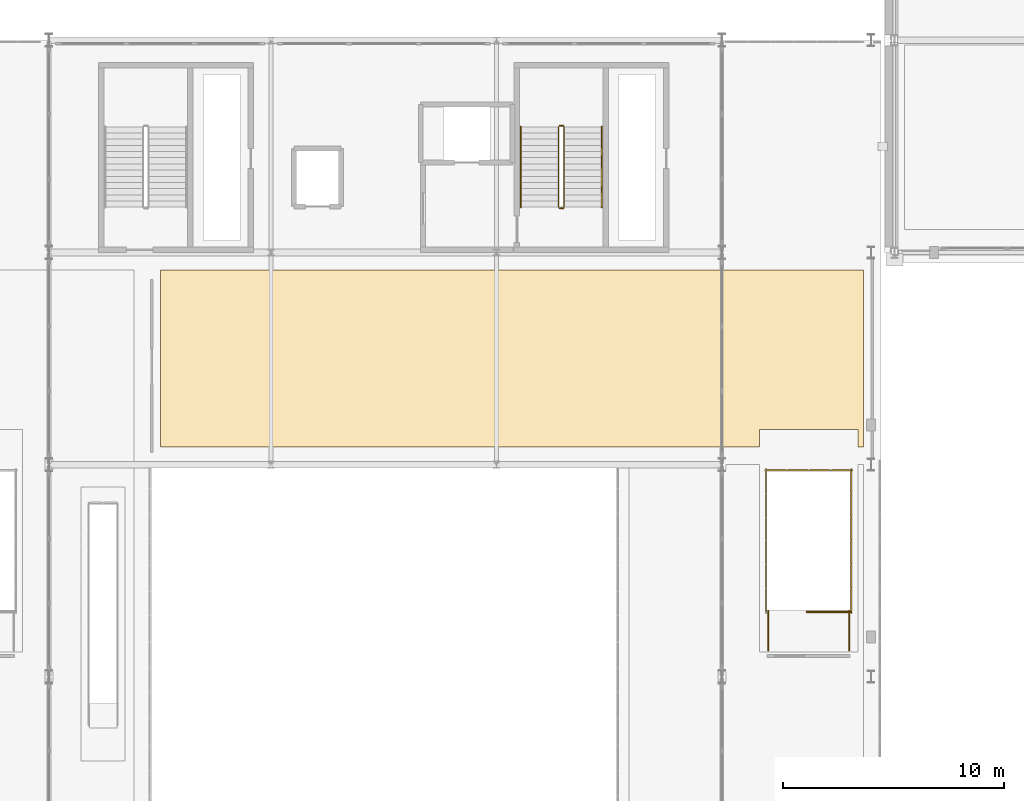
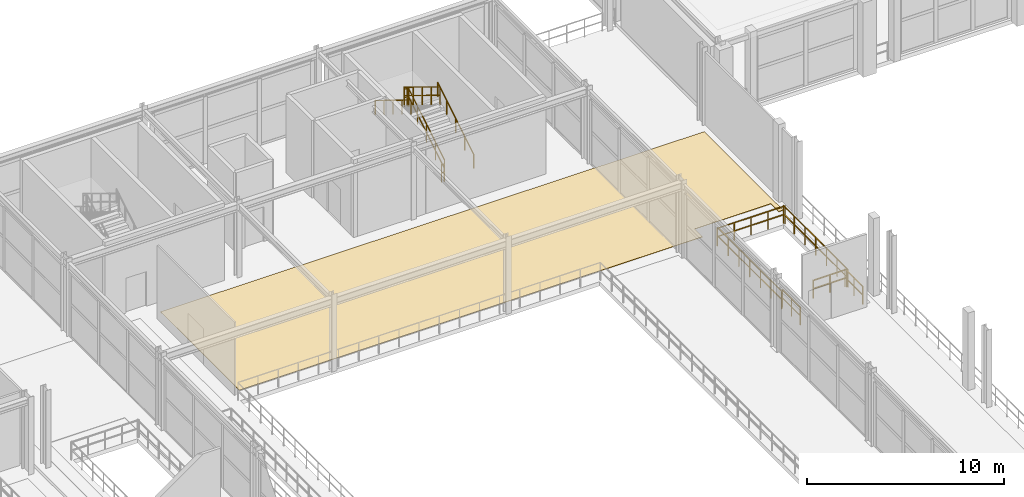
# One storey, part 107 of 125: 13 railings, 1 covering.
"""IFC4 building model written with IfcOpenShell, lengths in metres."""

from ifc_helpers import new_model, si_unit, direction, frame, origin, origin_2d, place, context, subcontext, project, spatial, polyline, rectangle, outline, extrude, material, layer, layer_set, type_object, element, save


model = new_model("IFC4")

# Units and contexts
model_context = context("Model", 3, precision=1e-05, world=origin(), true_north=direction((0.0, 1.0)))
body_context = subcontext(model_context, "Body", "Model", "MODEL_VIEW")
ifc_project = project(units=[si_unit("LENGTHUNIT", "METRE"), si_unit("AREAUNIT", "SQUARE_METRE"), si_unit("VOLUMEUNIT", "CUBIC_METRE"), si_unit("PLANEANGLEUNIT", "RADIAN"), si_unit("MASSUNIT", "GRAM", prefix="KILO")], contexts=[model_context])

# Site, building, storey
site_placement = place(None, origin())
site = spatial("IfcSite", under=ifc_project, at=site_placement, CompositionType="ELEMENT")
building_placement = place(site_placement, origin())
building = spatial("IfcBuilding", under=site, at=building_placement, Name="Myrtia Square Station", CompositionType="ELEMENT")
storey_placement = place(building_placement, frame((0.0, 0.0, 6.0)))
storey = spatial("IfcBuildingStorey", under=building, at=storey_placement, Name="L01", CompositionType="ELEMENT", Elevation=6.0)

# Covering
ifc_material_1 = material(Name="Terrazzo stone tile", Category="masonry")
ifc_layer = layer(ifc_material_1, 0.02490234375, Name="Terrazzo stone tile")
ifc_layer_set = layer_set([ifc_layer], Name="Terrazzo stone tile")
covering_type = type_object("IfcCoveringType", Name="COV-FLR-TERRAZZO", PredefinedType="FLOORING", material=ifc_layer_set)
covering_placement = place(storey_placement, origin())
element("IfcCovering", 1, at=covering_placement, inside=storey, type_object=covering_type, Name="Terrazzo room flooring L01-07", PredefinedType="FLOORING", context=body_context, shape_type="SweptSolid", body=[
    extrude(outline(polyline([(84.39990234375, 85.60009765625), (116.199951171875, 85.60009765625), (116.199951171875, 77.60009765625), (115.949951171875, 77.60009765625), (115.949951171875, 78.39990234375), (111.489990234375, 78.39990234375), (111.489990234375, 77.60009765625), (84.39990234375, 77.60009765625), (84.39990234375, 85.60009765625)])), origin(), (0.0, 0.0, 1.0), 0.02490234375),
])

# Railings
ifc_material_2 = material(Name="Dark bronze anodised aluminium", Category="aluminium")
railing_type_1 = type_object("IfcRailingType", Name="RL-HANDRAIL-900", PredefinedType="HANDRAIL", material=ifc_material_2)
railing_1_placement = place(storey_placement, frame((104.360107421875, 88.449951171875, 0.17138671875)))
element("IfcRailing", 2, at=railing_1_placement, inside=storey, type_object=railing_type_1, Name="L01 ST04 stair handrail 1", PredefinedType="HANDRAIL", context=body_context, shape_type="SweptSolid", body=[
    extrude(rectangle(XDim=0.048095703125, YDim=0.048095703125, at=origin_2d()), frame((0.0, 0.029541015625, 0.89404296875), z_axis=(0.0, 0.852865859571, 0.52213008492), x_axis=(-1.0, 0.0, 0.0)), (0.0, 0.0, 1.0), 0.997802734375),
    extrude(rectangle(XDim=0.048095703125, YDim=0.048095703125, at=origin_2d()), frame((0.0, 0.939697265625, 1.451171875), z_axis=(0.0, 0.852865859571, 0.52213008492), x_axis=(-1.0, 0.0, 0.0)), (0.0, 0.0, 1.0), 0.997802734375),
    extrude(rectangle(XDim=0.048095703125, YDim=0.048095703125, at=origin_2d()), frame((0.0, 1.849609375, 2.00830078125), z_axis=(0.0, 0.852865859571, 0.52213008492), x_axis=(-1.0, 0.0, 0.0)), (0.0, 0.0, 1.0), 0.997802734375),
    extrude(rectangle(XDim=0.048095703125, YDim=0.048095703125, at=origin_2d()), frame((0.0, 2.759765625, 2.5654296875), z_axis=(0.0, 0.852865859571, 0.52213008492), x_axis=(-1.0, 0.0, 0.0)), (0.0, 0.0, 1.0), 0.997802734375),
    extrude(rectangle(XDim=0.0439453125, YDim=0.0439453125, at=origin_2d()), origin(), (0.0, 0.0, 1.0), 0.89990234375),
    extrude(rectangle(XDim=0.0439453125, YDim=0.0439453125, at=origin_2d()), frame((0.0, 0.91015625, 0.55712890625)), (0.0, 0.0, 1.0), 0.89990234375),
    extrude(rectangle(XDim=0.0439453125, YDim=0.0439453125, at=origin_2d()), frame((0.0, 1.820068359375, 1.1142578125)), (0.0, 0.0, 1.0), 0.89990234375),
    extrude(rectangle(XDim=0.0439453125, YDim=0.0439453125, at=origin_2d()), frame((0.0, 2.72998046875, 1.67138671875)), (0.0, 0.0, 1.0), 0.89990234375),
    extrude(rectangle(XDim=0.0439453125, YDim=0.0439453125, at=origin_2d()), frame((0.0, 3.64013671875, 2.228515625)), (0.0, 0.0, 1.0), 0.89990234375),
])
railing_2_placement = place(storey_placement, frame((100.699951171875, 92.090087890625, 2.571533203125)))
element("IfcRailing", 3, at=railing_2_placement, inside=storey, type_object=railing_type_1, Name="L01 ST04 stair handrail 2", PredefinedType="HANDRAIL", context=body_context, shape_type="SweptSolid", body=[
    extrude(rectangle(XDim=0.048095703125, YDim=0.048095703125, at=origin_2d()), frame((0.0, -0.029541015625, 0.89404296875), z_axis=(0.0, -0.852865859571, 0.52213008492), x_axis=(1.0, 0.0, 0.0)), (0.0, 0.0, 1.0), 0.997802734375),
    extrude(rectangle(XDim=0.048095703125, YDim=0.048095703125, at=origin_2d()), frame((0.0, -0.939697265625, 1.451171875), z_axis=(0.0, -0.852865859571, 0.52213008492), x_axis=(1.0, 0.0, 0.0)), (0.0, 0.0, 1.0), 0.997802734375),
    extrude(rectangle(XDim=0.048095703125, YDim=0.048095703125, at=origin_2d()), frame((0.0, -1.849609375, 2.00830078125), z_axis=(0.0, -0.852865859571, 0.52213008492), x_axis=(1.0, 0.0, 0.0)), (0.0, 0.0, 1.0), 0.997802734375),
    extrude(rectangle(XDim=0.048095703125, YDim=0.048095703125, at=origin_2d()), frame((0.0, -2.759765625, 2.5654296875), z_axis=(0.0, -0.852865859571, 0.52213008492), x_axis=(1.0, 0.0, 0.0)), (0.0, 0.0, 1.0), 0.997802734375),
    extrude(rectangle(XDim=0.0439453125, YDim=0.0439453125, at=origin_2d()), origin(), (0.0, 0.0, 1.0), 0.89990234375),
    extrude(rectangle(XDim=0.0439453125, YDim=0.0439453125, at=origin_2d()), frame((0.0, -0.91015625, 0.55712890625)), (0.0, 0.0, 1.0), 0.89990234375),
    extrude(rectangle(XDim=0.0439453125, YDim=0.0439453125, at=origin_2d()), frame((0.0, -1.820068359375, 1.1142578125)), (0.0, 0.0, 1.0), 0.89990234375),
    extrude(rectangle(XDim=0.0439453125, YDim=0.0439453125, at=origin_2d()), frame((0.0, -2.72998046875, 1.67138671875)), (0.0, 0.0, 1.0), 0.89990234375),
    extrude(rectangle(XDim=0.0439453125, YDim=0.0439453125, at=origin_2d()), frame((0.0, -3.64013671875, 2.228515625)), (0.0, 0.0, 1.0), 0.89990234375),
])
ifc_material_3 = material(Name="Wrought iron", Category="steel")
railing_type_2 = type_object("IfcRailingType", Name="RL-INT-GUARD-1100", PredefinedType="BALUSTRADE", material=ifc_material_3)
railing_3_placement = place(storey_placement, frame((102.659912109375, 88.449951171875, 0.17138671875)))
element("IfcRailing", 4, at=railing_3_placement, inside=storey, type_object=railing_type_2, Name="L01 ST04 stair guard 1", PredefinedType="BALUSTRADE", context=body_context, shape_type="SweptSolid", body=[
    extrude(rectangle(XDim=0.048095703125, YDim=0.048095703125, at=origin_2d()), frame((0.0, 0.029541015625, 1.1142578125), z_axis=(0.0, 0.852865859571, 0.52213008492), x_axis=(-1.0, 0.0, 0.0)), (0.0, 0.0, 1.0), 0.997802734375),
    extrude(rectangle(XDim=0.048095703125, YDim=0.048095703125, at=origin_2d()), frame((0.0, 0.029541015625, 0.6005859375), z_axis=(0.0, 0.852865859571, 0.52213008492), x_axis=(-1.0, 0.0, 0.0)), (0.0, 0.0, 1.0), 0.997802734375),
    extrude(rectangle(XDim=0.048095703125, YDim=0.048095703125, at=origin_2d()), frame((0.0, 0.939697265625, 1.67138671875), z_axis=(0.0, 0.852865859571, 0.52213008492), x_axis=(-1.0, 0.0, 0.0)), (0.0, 0.0, 1.0), 0.997802734375),
    extrude(rectangle(XDim=0.048095703125, YDim=0.048095703125, at=origin_2d()), frame((0.0, 0.939697265625, 1.15771484375), z_axis=(0.0, 0.852865859571, 0.52213008492), x_axis=(-1.0, 0.0, 0.0)), (0.0, 0.0, 1.0), 0.997802734375),
    extrude(rectangle(XDim=0.048095703125, YDim=0.048095703125, at=origin_2d()), frame((0.0, 1.849609375, 2.228515625), z_axis=(0.0, 0.852865859571, 0.52213008492), x_axis=(-1.0, 0.0, 0.0)), (0.0, 0.0, 1.0), 0.997802734375),
    extrude(rectangle(XDim=0.048095703125, YDim=0.048095703125, at=origin_2d()), frame((0.0, 1.849609375, 1.71484375), z_axis=(0.0, 0.852865859571, 0.52213008492), x_axis=(-1.0, 0.0, 0.0)), (0.0, 0.0, 1.0), 0.997802734375),
    extrude(rectangle(XDim=0.048095703125, YDim=0.048095703125, at=origin_2d()), frame((0.0, 2.759765625, 2.78564453125), z_axis=(0.0, 0.852865859571, 0.52213008492), x_axis=(-1.0, 0.0, 0.0)), (0.0, 0.0, 1.0), 0.997802734375),
    extrude(rectangle(XDim=0.048095703125, YDim=0.048095703125, at=origin_2d()), frame((0.0, 2.759765625, 2.27197265625), z_axis=(0.0, 0.852865859571, 0.52213008492), x_axis=(-1.0, 0.0, 0.0)), (0.0, 0.0, 1.0), 0.997802734375),
    extrude(rectangle(XDim=0.0439453125, YDim=0.0439453125, at=origin_2d()), origin(), (0.0, 0.0, 1.0), 1.1201171875),
    extrude(rectangle(XDim=0.0439453125, YDim=0.0439453125, at=origin_2d()), frame((0.0, 0.91015625, 0.55712890625)), (0.0, 0.0, 1.0), 1.1201171875),
    extrude(rectangle(XDim=0.0439453125, YDim=0.0439453125, at=origin_2d()), frame((0.0, 1.820068359375, 1.1142578125)), (0.0, 0.0, 1.0), 1.1201171875),
    extrude(rectangle(XDim=0.0439453125, YDim=0.0439453125, at=origin_2d()), frame((0.0, 2.72998046875, 1.67138671875)), (0.0, 0.0, 1.0), 1.1201171875),
    extrude(rectangle(XDim=0.0439453125, YDim=0.0439453125, at=origin_2d()), frame((0.0, 3.64013671875, 2.228515625)), (0.0, 0.0, 1.0), 1.1201171875),
])
railing_4_placement = place(storey_placement, frame((102.610107421875, 92.139892578125, 2.39990234375)))
element("IfcRailing", 5, at=railing_4_placement, inside=storey, type_object=railing_type_2, Name="L01 ST04 stair guard 2", PredefinedType="BALUSTRADE", context=body_context, shape_type="SweptSolid", body=[
    extrude(rectangle(XDim=0.048095703125, YDim=0.048095703125, at=origin_2d()), frame((-0.03466796875, 0.0, 1.09619140625), z_axis=(-1.0, 0.0, 0.0), x_axis=(0.0, -1.0, 0.0)), (0.0, 0.0, 1.0), 0.0908203125),
    extrude(rectangle(XDim=0.048095703125, YDim=0.048095703125, at=origin_2d()), frame((-0.03466796875, 0.0, 0.58251953125), z_axis=(-1.0, 0.0, 0.0), x_axis=(0.0, -1.0, 0.0)), (0.0, 0.0, 1.0), 0.0908203125),
    extrude(rectangle(XDim=0.0439453125, YDim=0.0439453125, at=origin_2d()), origin(), (0.0, 0.0, 1.0), 1.1201171875),
    extrude(rectangle(XDim=0.0439453125, YDim=0.0439453125, at=origin_2d()), frame((-0.16015625, 0.0, 0.0)), (0.0, 0.0, 1.0), 1.1201171875),
])
railing_5_placement = place(storey_placement, frame((102.39990234375, 92.090087890625, 2.571533203125)))
element("IfcRailing", 6, at=railing_5_placement, inside=storey, type_object=railing_type_2, Name="L01 ST04 stair guard 3", PredefinedType="BALUSTRADE", context=body_context, shape_type="SweptSolid", body=[
    extrude(rectangle(XDim=0.048095703125, YDim=0.048095703125, at=origin_2d()), frame((0.0, -0.029541015625, 1.1142578125), z_axis=(0.0, -0.852865859571, 0.52213008492), x_axis=(1.0, 0.0, 0.0)), (0.0, 0.0, 1.0), 0.997802734375),
    extrude(rectangle(XDim=0.048095703125, YDim=0.048095703125, at=origin_2d()), frame((0.0, -0.029541015625, 0.6005859375), z_axis=(0.0, -0.852865859571, 0.52213008492), x_axis=(1.0, 0.0, 0.0)), (0.0, 0.0, 1.0), 0.997802734375),
    extrude(rectangle(XDim=0.048095703125, YDim=0.048095703125, at=origin_2d()), frame((0.0, -0.939697265625, 1.67138671875), z_axis=(0.0, -0.852865859571, 0.52213008492), x_axis=(1.0, 0.0, 0.0)), (0.0, 0.0, 1.0), 0.997802734375),
    extrude(rectangle(XDim=0.048095703125, YDim=0.048095703125, at=origin_2d()), frame((0.0, -0.939697265625, 1.15771484375), z_axis=(0.0, -0.852865859571, 0.52213008492), x_axis=(1.0, 0.0, 0.0)), (0.0, 0.0, 1.0), 0.997802734375),
    extrude(rectangle(XDim=0.048095703125, YDim=0.048095703125, at=origin_2d()), frame((0.0, -1.849609375, 2.228515625), z_axis=(0.0, -0.852865859571, 0.52213008492), x_axis=(1.0, 0.0, 0.0)), (0.0, 0.0, 1.0), 0.997802734375),
    extrude(rectangle(XDim=0.048095703125, YDim=0.048095703125, at=origin_2d()), frame((0.0, -1.849609375, 1.71484375), z_axis=(0.0, -0.852865859571, 0.52213008492), x_axis=(1.0, 0.0, 0.0)), (0.0, 0.0, 1.0), 0.997802734375),
    extrude(rectangle(XDim=0.048095703125, YDim=0.048095703125, at=origin_2d()), frame((0.0, -2.759765625, 2.78564453125), z_axis=(0.0, -0.852865859571, 0.52213008492), x_axis=(1.0, 0.0, 0.0)), (0.0, 0.0, 1.0), 0.997802734375),
    extrude(rectangle(XDim=0.048095703125, YDim=0.048095703125, at=origin_2d()), frame((0.0, -2.759765625, 2.27197265625), z_axis=(0.0, -0.852865859571, 0.52213008492), x_axis=(1.0, 0.0, 0.0)), (0.0, 0.0, 1.0), 0.997802734375),
    extrude(rectangle(XDim=0.0439453125, YDim=0.0439453125, at=origin_2d()), origin(), (0.0, 0.0, 1.0), 1.1201171875),
    extrude(rectangle(XDim=0.0439453125, YDim=0.0439453125, at=origin_2d()), frame((0.0, -0.91015625, 0.55712890625)), (0.0, 0.0, 1.0), 1.1201171875),
    extrude(rectangle(XDim=0.0439453125, YDim=0.0439453125, at=origin_2d()), frame((0.0, -1.820068359375, 1.1142578125)), (0.0, 0.0, 1.0), 1.1201171875),
    extrude(rectangle(XDim=0.0439453125, YDim=0.0439453125, at=origin_2d()), frame((0.0, -2.72998046875, 1.67138671875)), (0.0, 0.0, 1.0), 1.1201171875),
    extrude(rectangle(XDim=0.0439453125, YDim=0.0439453125, at=origin_2d()), frame((0.0, -3.64013671875, 2.228515625)), (0.0, 0.0, 1.0), 1.1201171875),
])
railing_6_placement = place(storey_placement, frame((102.610107421875, 88.39990234375, 0.0)))
element("IfcRailing", 7, at=railing_6_placement, inside=storey, type_object=railing_type_2, Name="L01 ST04 stair guard 4", PredefinedType="BALUSTRADE", context=body_context, shape_type="SweptSolid", body=[
    extrude(rectangle(XDim=0.048095703125, YDim=0.048095703125, at=origin_2d()), frame((-0.03466796875, 0.0, 1.09619140625), z_axis=(-1.0, 0.0, 0.0), x_axis=(0.0, -1.0, 0.0)), (0.0, 0.0, 1.0), 0.0908203125),
    extrude(rectangle(XDim=0.048095703125, YDim=0.048095703125, at=origin_2d()), frame((-0.03466796875, 0.0, 0.58251953125), z_axis=(-1.0, 0.0, 0.0), x_axis=(0.0, -1.0, 0.0)), (0.0, 0.0, 1.0), 0.0908203125),
    extrude(rectangle(XDim=0.0439453125, YDim=0.0439453125, at=origin_2d()), origin(), (0.0, 0.0, 1.0), 1.1201171875),
    extrude(rectangle(XDim=0.0439453125, YDim=0.0439453125, at=origin_2d()), frame((-0.16015625, 0.0, 0.0)), (0.0, 0.0, 1.0), 1.1201171875),
])
railing_7_placement = place(storey_placement, frame((115.60009765625, 70.14990234375, 0.0)))
element("IfcRailing", 8, at=railing_7_placement, inside=storey, type_object=railing_type_2, Name="L01 ST70 top well guard 1", PredefinedType="BALUSTRADE", context=body_context, shape_type="SweptSolid", body=[
    extrude(rectangle(XDim=0.048095703125, YDim=0.048095703125, at=origin_2d()), frame((-0.03466796875, 0.0, 1.09619140625), z_axis=(-1.0, 0.0, 0.0), x_axis=(0.0, -1.0, 0.0)), (0.0, 0.0, 1.0), 0.910888671875),
    extrude(rectangle(XDim=0.048095703125, YDim=0.048095703125, at=origin_2d()), frame((-0.03466796875, 0.0, 0.58251953125), z_axis=(-1.0, 0.0, 0.0), x_axis=(0.0, -1.0, 0.0)), (0.0, 0.0, 1.0), 0.910888671875),
    extrude(rectangle(XDim=0.048095703125, YDim=0.048095703125, at=origin_2d()), frame((-1.0146484375, 0.0, 1.09619140625), z_axis=(-1.0, 0.0, 0.0), x_axis=(0.0, -1.0, 0.0)), (0.0, 0.0, 1.0), 0.910888671875),
    extrude(rectangle(XDim=0.048095703125, YDim=0.048095703125, at=origin_2d()), frame((-1.0146484375, 0.0, 0.58251953125), z_axis=(-1.0, 0.0, 0.0), x_axis=(0.0, -1.0, 0.0)), (0.0, 0.0, 1.0), 0.910888671875),
    extrude(rectangle(XDim=0.0439453125, YDim=0.0439453125, at=origin_2d()), origin(), (0.0, 0.0, 1.0), 1.1201171875),
    extrude(rectangle(XDim=0.0439453125, YDim=0.0439453125, at=origin_2d()), frame((-0.97998046875, 0.0, 0.0)), (0.0, 0.0, 1.0), 1.1201171875),
    extrude(rectangle(XDim=0.0439453125, YDim=0.0439453125, at=origin_2d()), frame((-1.960205078125, 0.0, 0.0)), (0.0, 0.0, 1.0), 1.1201171875),
])
railing_8_placement = place(storey_placement, frame((115.64990234375, 70.10009765625, 0.0)))
element("IfcRailing", 9, at=railing_8_placement, inside=storey, type_object=railing_type_2, Name="L01 ST70 top well guard 2", PredefinedType="BALUSTRADE", context=body_context, shape_type="SweptSolid", body=[
    extrude(rectangle(XDim=0.048095703125, YDim=0.048095703125, at=origin_2d()), frame((0.0, 0.03466796875, 1.09619140625), z_axis=(0.0, 1.0, 0.0), x_axis=(-1.0, 0.0, 0.0)), (0.0, 0.0, 1.0), 1.01416015625),
    extrude(rectangle(XDim=0.048095703125, YDim=0.048095703125, at=origin_2d()), frame((0.0, 0.03466796875, 0.58251953125), z_axis=(0.0, 1.0, 0.0), x_axis=(-1.0, 0.0, 0.0)), (0.0, 0.0, 1.0), 1.01416015625),
    extrude(rectangle(XDim=0.048095703125, YDim=0.048095703125, at=origin_2d()), frame((0.0, 1.117919921875, 1.09619140625), z_axis=(0.0, 1.0, 0.0), x_axis=(-1.0, 0.0, 0.0)), (0.0, 0.0, 1.0), 1.01416015625),
    extrude(rectangle(XDim=0.048095703125, YDim=0.048095703125, at=origin_2d()), frame((0.0, 1.117919921875, 0.58251953125), z_axis=(0.0, 1.0, 0.0), x_axis=(-1.0, 0.0, 0.0)), (0.0, 0.0, 1.0), 1.01416015625),
    extrude(rectangle(XDim=0.048095703125, YDim=0.048095703125, at=origin_2d()), frame((0.0, 2.201416015625, 1.09619140625), z_axis=(0.0, 1.0, 0.0), x_axis=(-1.0, 0.0, 0.0)), (0.0, 0.0, 1.0), 1.01416015625),
    extrude(rectangle(XDim=0.048095703125, YDim=0.048095703125, at=origin_2d()), frame((0.0, 2.201416015625, 0.58251953125), z_axis=(0.0, 1.0, 0.0), x_axis=(-1.0, 0.0, 0.0)), (0.0, 0.0, 1.0), 1.01416015625),
    extrude(rectangle(XDim=0.048095703125, YDim=0.048095703125, at=origin_2d()), frame((0.0, 3.28466796875, 1.09619140625), z_axis=(0.0, 1.0, 0.0), x_axis=(-1.0, 0.0, 0.0)), (0.0, 0.0, 1.0), 1.01416015625),
    extrude(rectangle(XDim=0.048095703125, YDim=0.048095703125, at=origin_2d()), frame((0.0, 3.28466796875, 0.58251953125), z_axis=(0.0, 1.0, 0.0), x_axis=(-1.0, 0.0, 0.0)), (0.0, 0.0, 1.0), 1.01416015625),
    extrude(rectangle(XDim=0.048095703125, YDim=0.048095703125, at=origin_2d()), frame((0.0, 4.367919921875, 1.09619140625), z_axis=(0.0, 1.0, 0.0), x_axis=(-1.0, 0.0, 0.0)), (0.0, 0.0, 1.0), 1.01416015625),
    extrude(rectangle(XDim=0.048095703125, YDim=0.048095703125, at=origin_2d()), frame((0.0, 4.367919921875, 0.58251953125), z_axis=(0.0, 1.0, 0.0), x_axis=(-1.0, 0.0, 0.0)), (0.0, 0.0, 1.0), 1.01416015625),
    extrude(rectangle(XDim=0.048095703125, YDim=0.048095703125, at=origin_2d()), frame((0.0, 5.451416015625, 1.09619140625), z_axis=(0.0, 1.0, 0.0), x_axis=(-1.0, 0.0, 0.0)), (0.0, 0.0, 1.0), 1.01416015625),
    extrude(rectangle(XDim=0.048095703125, YDim=0.048095703125, at=origin_2d()), frame((0.0, 5.451416015625, 0.58251953125), z_axis=(0.0, 1.0, 0.0), x_axis=(-1.0, 0.0, 0.0)), (0.0, 0.0, 1.0), 1.01416015625),
    extrude(rectangle(XDim=0.0439453125, YDim=0.0439453125, at=origin_2d()), origin(), (0.0, 0.0, 1.0), 1.1201171875),
    extrude(rectangle(XDim=0.0439453125, YDim=0.0439453125, at=origin_2d()), frame((0.0, 1.083251953125, 0.0)), (0.0, 0.0, 1.0), 1.1201171875),
    extrude(rectangle(XDim=0.0439453125, YDim=0.0439453125, at=origin_2d()), frame((0.0, 2.166748046875, 0.0)), (0.0, 0.0, 1.0), 1.1201171875),
    extrude(rectangle(XDim=0.0439453125, YDim=0.0439453125, at=origin_2d()), frame((0.0, 3.25, 0.0)), (0.0, 0.0, 1.0), 1.1201171875),
    extrude(rectangle(XDim=0.0439453125, YDim=0.0439453125, at=origin_2d()), frame((0.0, 4.333251953125, 0.0)), (0.0, 0.0, 1.0), 1.1201171875),
    extrude(rectangle(XDim=0.0439453125, YDim=0.0439453125, at=origin_2d()), frame((0.0, 5.416748046875, 0.0)), (0.0, 0.0, 1.0), 1.1201171875),
    extrude(rectangle(XDim=0.0439453125, YDim=0.0439453125, at=origin_2d()), frame((0.0, 6.5, 0.0)), (0.0, 0.0, 1.0), 1.1201171875),
])
railing_9_placement = place(storey_placement, frame((111.7900390625, 70.10009765625, 0.0)))
element("IfcRailing", 10, at=railing_9_placement, inside=storey, type_object=railing_type_2, Name="L01 ST70 top well guard 3", PredefinedType="BALUSTRADE", context=body_context, shape_type="SweptSolid", body=[
    extrude(rectangle(XDim=0.048095703125, YDim=0.048095703125, at=origin_2d()), frame((0.0, 0.03466796875, 1.09619140625), z_axis=(0.0, 1.0, 0.0), x_axis=(-1.0, 0.0, 0.0)), (0.0, 0.0, 1.0), 1.01416015625),
    extrude(rectangle(XDim=0.048095703125, YDim=0.048095703125, at=origin_2d()), frame((0.0, 0.03466796875, 0.58251953125), z_axis=(0.0, 1.0, 0.0), x_axis=(-1.0, 0.0, 0.0)), (0.0, 0.0, 1.0), 1.01416015625),
    extrude(rectangle(XDim=0.048095703125, YDim=0.048095703125, at=origin_2d()), frame((0.0, 1.117919921875, 1.09619140625), z_axis=(0.0, 1.0, 0.0), x_axis=(-1.0, 0.0, 0.0)), (0.0, 0.0, 1.0), 1.01416015625),
    extrude(rectangle(XDim=0.048095703125, YDim=0.048095703125, at=origin_2d()), frame((0.0, 1.117919921875, 0.58251953125), z_axis=(0.0, 1.0, 0.0), x_axis=(-1.0, 0.0, 0.0)), (0.0, 0.0, 1.0), 1.01416015625),
    extrude(rectangle(XDim=0.048095703125, YDim=0.048095703125, at=origin_2d()), frame((0.0, 2.201416015625, 1.09619140625), z_axis=(0.0, 1.0, 0.0), x_axis=(-1.0, 0.0, 0.0)), (0.0, 0.0, 1.0), 1.01416015625),
    extrude(rectangle(XDim=0.048095703125, YDim=0.048095703125, at=origin_2d()), frame((0.0, 2.201416015625, 0.58251953125), z_axis=(0.0, 1.0, 0.0), x_axis=(-1.0, 0.0, 0.0)), (0.0, 0.0, 1.0), 1.01416015625),
    extrude(rectangle(XDim=0.048095703125, YDim=0.048095703125, at=origin_2d()), frame((0.0, 3.28466796875, 1.09619140625), z_axis=(0.0, 1.0, 0.0), x_axis=(-1.0, 0.0, 0.0)), (0.0, 0.0, 1.0), 1.01416015625),
    extrude(rectangle(XDim=0.048095703125, YDim=0.048095703125, at=origin_2d()), frame((0.0, 3.28466796875, 0.58251953125), z_axis=(0.0, 1.0, 0.0), x_axis=(-1.0, 0.0, 0.0)), (0.0, 0.0, 1.0), 1.01416015625),
    extrude(rectangle(XDim=0.048095703125, YDim=0.048095703125, at=origin_2d()), frame((0.0, 4.367919921875, 1.09619140625), z_axis=(0.0, 1.0, 0.0), x_axis=(-1.0, 0.0, 0.0)), (0.0, 0.0, 1.0), 1.01416015625),
    extrude(rectangle(XDim=0.048095703125, YDim=0.048095703125, at=origin_2d()), frame((0.0, 4.367919921875, 0.58251953125), z_axis=(0.0, 1.0, 0.0), x_axis=(-1.0, 0.0, 0.0)), (0.0, 0.0, 1.0), 1.01416015625),
    extrude(rectangle(XDim=0.048095703125, YDim=0.048095703125, at=origin_2d()), frame((0.0, 5.451416015625, 1.09619140625), z_axis=(0.0, 1.0, 0.0), x_axis=(-1.0, 0.0, 0.0)), (0.0, 0.0, 1.0), 1.01416015625),
    extrude(rectangle(XDim=0.048095703125, YDim=0.048095703125, at=origin_2d()), frame((0.0, 5.451416015625, 0.58251953125), z_axis=(0.0, 1.0, 0.0), x_axis=(-1.0, 0.0, 0.0)), (0.0, 0.0, 1.0), 1.01416015625),
    extrude(rectangle(XDim=0.0439453125, YDim=0.0439453125, at=origin_2d()), origin(), (0.0, 0.0, 1.0), 1.1201171875),
    extrude(rectangle(XDim=0.0439453125, YDim=0.0439453125, at=origin_2d()), frame((0.0, 1.083251953125, 0.0)), (0.0, 0.0, 1.0), 1.1201171875),
    extrude(rectangle(XDim=0.0439453125, YDim=0.0439453125, at=origin_2d()), frame((0.0, 2.166748046875, 0.0)), (0.0, 0.0, 1.0), 1.1201171875),
    extrude(rectangle(XDim=0.0439453125, YDim=0.0439453125, at=origin_2d()), frame((0.0, 3.25, 0.0)), (0.0, 0.0, 1.0), 1.1201171875),
    extrude(rectangle(XDim=0.0439453125, YDim=0.0439453125, at=origin_2d()), frame((0.0, 4.333251953125, 0.0)), (0.0, 0.0, 1.0), 1.1201171875),
    extrude(rectangle(XDim=0.0439453125, YDim=0.0439453125, at=origin_2d()), frame((0.0, 5.416748046875, 0.0)), (0.0, 0.0, 1.0), 1.1201171875),
    extrude(rectangle(XDim=0.0439453125, YDim=0.0439453125, at=origin_2d()), frame((0.0, 6.5, 0.0)), (0.0, 0.0, 1.0), 1.1201171875),
])
railing_10_placement = place(storey_placement, frame((115.699951171875, 76.550048828125, 0.0)))
element("IfcRailing", 11, at=railing_10_placement, inside=storey, type_object=railing_type_2, Name="L01 ST70 top well guard 4", PredefinedType="BALUSTRADE", context=body_context, shape_type="SweptSolid", body=[
    extrude(rectangle(XDim=0.048095703125, YDim=0.048095703125, at=origin_2d()), frame((-0.03466796875, 0.0, 1.09619140625), z_axis=(-1.0, 0.0, 0.0), x_axis=(0.0, -1.0, 0.0)), (0.0, 0.0, 1.0), 0.920654296875),
    extrude(rectangle(XDim=0.048095703125, YDim=0.048095703125, at=origin_2d()), frame((-0.03466796875, 0.0, 0.58251953125), z_axis=(-1.0, 0.0, 0.0), x_axis=(0.0, -1.0, 0.0)), (0.0, 0.0, 1.0), 0.920654296875),
    extrude(rectangle(XDim=0.048095703125, YDim=0.048095703125, at=origin_2d()), frame((-1.024658203125, 0.0, 1.09619140625), z_axis=(-1.0, 0.0, 0.0), x_axis=(0.0, -1.0, 0.0)), (0.0, 0.0, 1.0), 0.920654296875),
    extrude(rectangle(XDim=0.048095703125, YDim=0.048095703125, at=origin_2d()), frame((-1.024658203125, 0.0, 0.58251953125), z_axis=(-1.0, 0.0, 0.0), x_axis=(0.0, -1.0, 0.0)), (0.0, 0.0, 1.0), 0.920654296875),
    extrude(rectangle(XDim=0.048095703125, YDim=0.048095703125, at=origin_2d()), frame((-2.0146484375, 0.0, 1.09619140625), z_axis=(-1.0, 0.0, 0.0), x_axis=(0.0, -1.0, 0.0)), (0.0, 0.0, 1.0), 0.920654296875),
    extrude(rectangle(XDim=0.048095703125, YDim=0.048095703125, at=origin_2d()), frame((-2.0146484375, 0.0, 0.58251953125), z_axis=(-1.0, 0.0, 0.0), x_axis=(0.0, -1.0, 0.0)), (0.0, 0.0, 1.0), 0.920654296875),
    extrude(rectangle(XDim=0.048095703125, YDim=0.048095703125, at=origin_2d()), frame((-3.004638671875, 0.0, 1.09619140625), z_axis=(-1.0, 0.0, 0.0), x_axis=(0.0, -1.0, 0.0)), (0.0, 0.0, 1.0), 0.920654296875),
    extrude(rectangle(XDim=0.048095703125, YDim=0.048095703125, at=origin_2d()), frame((-3.004638671875, 0.0, 0.58251953125), z_axis=(-1.0, 0.0, 0.0), x_axis=(0.0, -1.0, 0.0)), (0.0, 0.0, 1.0), 0.920654296875),
    extrude(rectangle(XDim=0.0439453125, YDim=0.0439453125, at=origin_2d()), origin(), (0.0, 0.0, 1.0), 1.1201171875),
    extrude(rectangle(XDim=0.0439453125, YDim=0.0439453125, at=origin_2d()), frame((-0.989990234375, 0.0, 0.0)), (0.0, 0.0, 1.0), 1.1201171875),
    extrude(rectangle(XDim=0.0439453125, YDim=0.0439453125, at=origin_2d()), frame((-1.97998046875, 0.0, 0.0)), (0.0, 0.0, 1.0), 1.1201171875),
    extrude(rectangle(XDim=0.0439453125, YDim=0.0439453125, at=origin_2d()), frame((-2.969970703125, 0.0, 0.0)), (0.0, 0.0, 1.0), 1.1201171875),
    extrude(rectangle(XDim=0.0439453125, YDim=0.0439453125, at=origin_2d()), frame((-3.9599609375, 0.0, 0.0)), (0.0, 0.0, 1.0), 1.1201171875),
])
for number, where, name in (
    (12, (115.550048828125, 68.39990234375, 0.0), "L01 ST70 top well guard 5"),
    (13, (111.889892578125, 68.39990234375, 0.0), "L01 ST70 top well guard 6"),
):
    element("IfcRailing", number, at=place(storey_placement, frame(where)), inside=storey, type_object=railing_type_2, Name=name, PredefinedType="BALUSTRADE", context=body_context, shape_type="SweptSolid", body=[
        extrude(rectangle(XDim=0.048095703125, YDim=0.048095703125, at=origin_2d()), frame((0.0, 0.03466796875, 1.09619140625), z_axis=(0.0, 1.0, 0.0), x_axis=(-1.0, 0.0, 0.0)), (0.0, 0.0, 1.0), 0.830810546875),
        extrude(rectangle(XDim=0.048095703125, YDim=0.048095703125, at=origin_2d()), frame((0.0, 0.03466796875, 0.58251953125), z_axis=(0.0, 1.0, 0.0), x_axis=(-1.0, 0.0, 0.0)), (0.0, 0.0, 1.0), 0.830810546875),
        extrude(rectangle(XDim=0.048095703125, YDim=0.048095703125, at=origin_2d()), frame((0.0, 0.9345703125, 1.09619140625), z_axis=(0.0, 1.0, 0.0), x_axis=(-1.0, 0.0, 0.0)), (0.0, 0.0, 1.0), 0.830810546875),
        extrude(rectangle(XDim=0.048095703125, YDim=0.048095703125, at=origin_2d()), frame((0.0, 0.9345703125, 0.58251953125), z_axis=(0.0, 1.0, 0.0), x_axis=(-1.0, 0.0, 0.0)), (0.0, 0.0, 1.0), 0.830810546875),
        extrude(rectangle(XDim=0.0439453125, YDim=0.0439453125, at=origin_2d()), origin(), (0.0, 0.0, 1.0), 1.1201171875),
        extrude(rectangle(XDim=0.0439453125, YDim=0.0439453125, at=origin_2d()), frame((0.0, 0.89990234375, 0.0)), (0.0, 0.0, 1.0), 1.1201171875),
        extrude(rectangle(XDim=0.0439453125, YDim=0.0439453125, at=origin_2d()), frame((0.0, 1.800048828125, 0.0)), (0.0, 0.0, 1.0), 1.1201171875),
    ])
railing_11_placement = place(storey_placement, frame((113.659912109375, 70.1201171875, 0.0)))
element("IfcRailing", 14, at=railing_11_placement, inside=storey, type_object=railing_type_2, Name="Interchange stair 6 well return guard", PredefinedType="BALUSTRADE", context=body_context, shape_type="SweptSolid", body=[
    extrude(rectangle(XDim=0.048095703125, YDim=0.048095703125, at=origin_2d()), frame((0.03466796875, 0.0, 1.09619140625), z_axis=(1.0, 0.0, 0.0), x_axis=(0.0, 1.0, 0.0)), (0.0, 0.0, 1.0), 0.9306640625),
    extrude(rectangle(XDim=0.048095703125, YDim=0.048095703125, at=origin_2d()), frame((0.03466796875, 0.0, 0.58251953125), z_axis=(1.0, 0.0, 0.0), x_axis=(0.0, 1.0, 0.0)), (0.0, 0.0, 1.0), 0.9306640625),
    extrude(rectangle(XDim=0.048095703125, YDim=0.048095703125, at=origin_2d()), frame((1.03466796875, 0.0, 1.09619140625), z_axis=(1.0, 0.0, 0.0), x_axis=(0.0, 1.0, 0.0)), (0.0, 0.0, 1.0), 0.9306640625),
    extrude(rectangle(XDim=0.048095703125, YDim=0.048095703125, at=origin_2d()), frame((1.03466796875, 0.0, 0.58251953125), z_axis=(1.0, 0.0, 0.0), x_axis=(0.0, 1.0, 0.0)), (0.0, 0.0, 1.0), 0.9306640625),
    extrude(rectangle(XDim=0.0439453125, YDim=0.0439453125, at=origin_2d()), origin(), (0.0, 0.0, 1.0), 1.1201171875),
    extrude(rectangle(XDim=0.0439453125, YDim=0.0439453125, at=origin_2d()), frame((1.0, 0.0, 0.0)), (0.0, 0.0, 1.0), 1.1201171875),
    extrude(rectangle(XDim=0.0439453125, YDim=0.0439453125, at=origin_2d()), frame((2.0, 0.0, 0.0)), (0.0, 0.0, 1.0), 1.1201171875),
])

save(model, "model.ifc")
